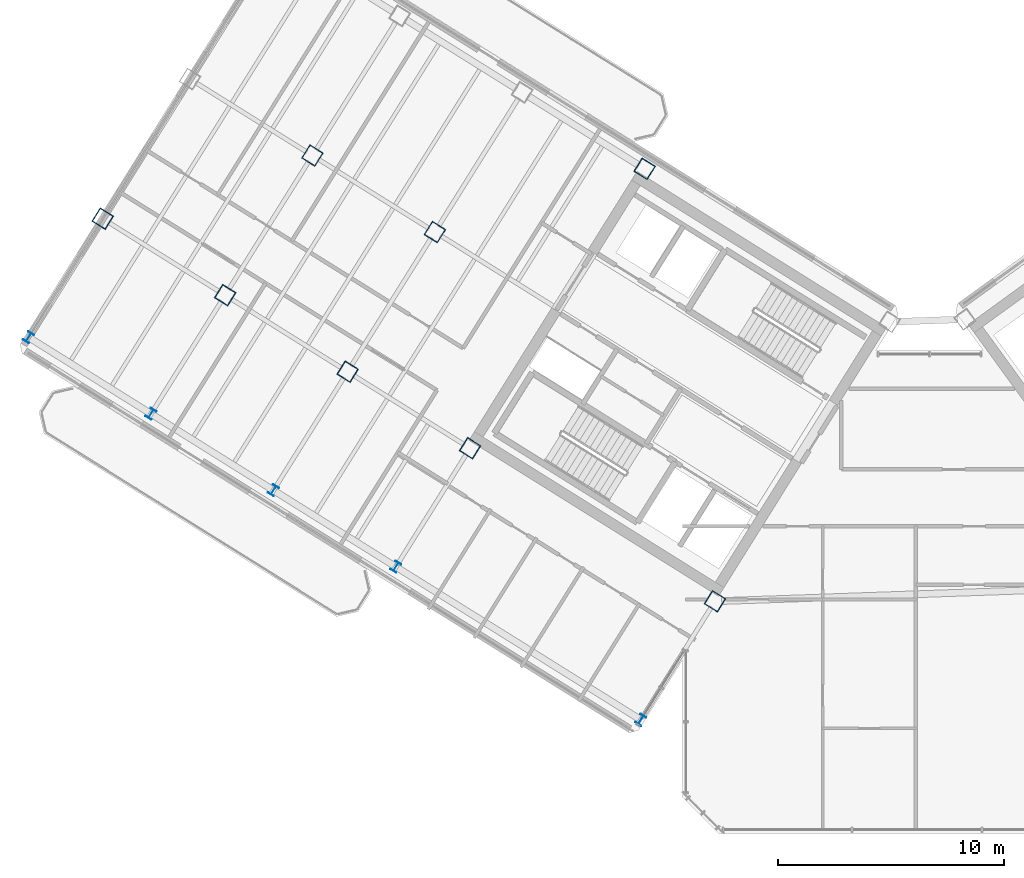
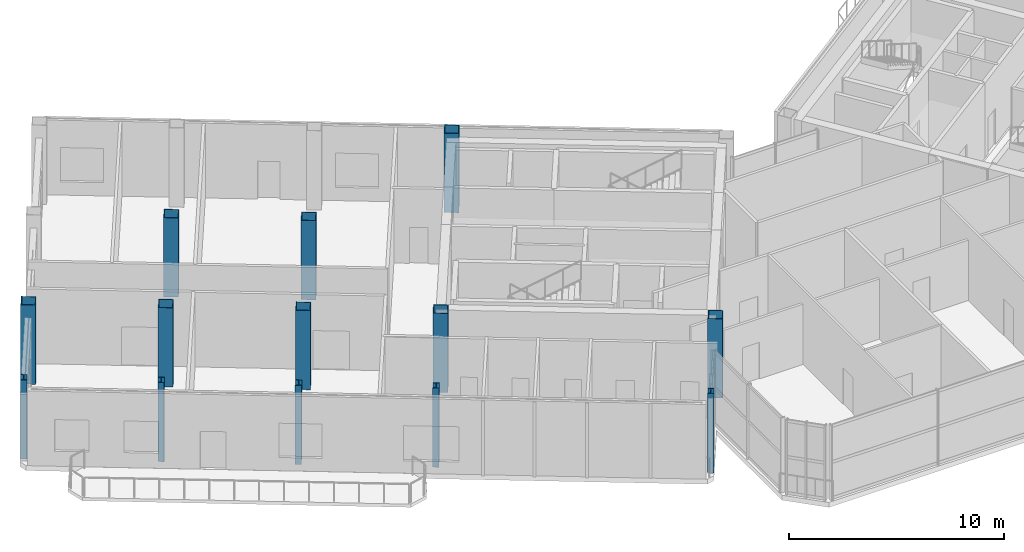
# One storey, part 1 of 27: 13 columns.
"""IFC4 building model written with IfcOpenShell, lengths in metres."""

from ifc_helpers import new_model, si_unit, direction, frame, origin, origin_2d, place, context, subcontext, project, spatial, hollow_rectangle, i_section, extrude, source, transform, mapped, material, material_profile, profile_set, type_object, element, save


model = new_model("IFC4")

# Units and contexts
model_context = context("Model", 3, precision=1e-05, world=origin(), true_north=direction((0.0, 1.0)))
body_context = subcontext(model_context, "Body", "Model", "MODEL_VIEW")
ifc_project = project(units=[si_unit("LENGTHUNIT", "METRE"), si_unit("AREAUNIT", "SQUARE_METRE"), si_unit("VOLUMEUNIT", "CUBIC_METRE"), si_unit("PLANEANGLEUNIT", "RADIAN"), si_unit("MASSUNIT", "GRAM", prefix="KILO")], contexts=[model_context])

# Site, building, storey
site_placement = place(None, origin())
site = spatial("IfcSite", under=ifc_project, at=site_placement, CompositionType="ELEMENT")
building_placement = place(site_placement, origin())
building = spatial("IfcBuilding", under=site, at=building_placement, Name="Tlacorven Tower", CompositionType="ELEMENT")
storey_placement = place(building_placement, frame((0.0, 0.0, 254.699951171875)))
storey = spatial("IfcBuildingStorey", under=building, at=storey_placement, Name="L64", CompositionType="ELEMENT", Elevation=254.699951171875)

# Columns
ifc_material_1 = material(Name="Steel S460M", Category="steel")
ifc_material_profile_1 = material_profile(ifc_material_1, hollow_rectangle(XDim=0.699951171875, YDim=0.699951171875, WallThickness=0.028076171875, at=origin_2d()), Name="BOX 700X700X28")
ifc_profile_set_1 = profile_set([ifc_material_profile_1], Name="Steel S460M")
column_type_1 = type_object("IfcColumnType", Name="COL-TWR-S4", PredefinedType="COLUMN", material=ifc_profile_set_1)
shared_shape_1 = source(origin(), body_context, "Body", "SweptSolid", [
    extrude(hollow_rectangle(XDim=0.699951171875, YDim=0.699951171875, WallThickness=0.028076171875, at=origin_2d()), origin(), (0.0, 0.0, 1.0), 4.5),
])
for number, where, z_axis, x_axis, name in (
    (1, (33.046142578125, 12.0869140625, 0.0), (0.0, 0.0, 1.0), (-0.848048096156, 0.529919264233, 0.0), "L64 column COL-L64-W1-3"),
    (2, (29.927978515625, 31.25146484375, 0.0), (0.0, 0.0, 1.0), (-0.848048096156, 0.529919264233, 0.0), "L64 column COL-L64-W3-1"),
    (3, (22.191162109375, 18.869873046875, 0.0), (0.0, 0.0, 1.0), (-0.848048096156, 0.529919264233, 0.0), "L64 column COL-L64-W3-3"),
    (4, (20.632080078125, 28.4521484375, 0.0), (0.0, 0.0, 1.0), (-0.848048096156, 0.529919264233, 0.0), "L64 column COL-L64-W4-2"),
    (5, (16.763671875, 22.26123046875, 0.0), (0.0, 0.0, 1.0), (-0.848048096156, 0.529919264233, 0.0), "L64 column COL-L64-W4-3"),
    (6, (15.20458984375, 31.843505859375, 0.0), (0.0, 0.0, 1.0), (-0.848048096156, 0.529919264233, 0.0), "L64 column COL-L64-W5-2"),
    (7, (11.336181640625, 25.65283203125, 0.0), (0.0, 0.0, 1.0), (-0.848048096156, 0.529919264233, 0.0), "L64 column COL-L64-W5-3"),
    (8, (5.90869140625, 29.044189453125, 0.0), (0.0, 0.0, 1.0), (-0.848048096156, 0.529919264233, 0.0), "L64 column COL-L64-W6-3"),
):
    element("IfcColumn", number, at=place(storey_placement, frame(where, z_axis=z_axis, x_axis=x_axis)), inside=storey, type_object=column_type_1, Name=name, PredefinedType="COLUMN", context=body_context, shape_type="MappedRepresentation", body=[
        mapped(shared_shape_1, transform((0.0, 0.0, 0.0), scale=1.0)),
    ])
ifc_material_2 = material(Name="Steel S355J2", Category="steel")
ifc_material_profile_2 = material_profile(ifc_material_2, i_section(OverallWidth=0.300048828125, OverallDepth=0.449951171875, WebThickness=0.013916015625, FlangeThickness=0.02587890625, at=origin_2d()), Name="HEB 450")
ifc_profile_set_2 = profile_set([ifc_material_profile_2], Name="Steel S355J2")
column_type_2 = type_object("IfcColumnType", Name="COL-TWR-P3", PredefinedType="COLUMN", material=ifc_profile_set_2)
shared_shape_2 = source(origin(), body_context, "Body", "SweptSolid", [
    extrude(i_section(OverallWidth=0.300048828125, OverallDepth=0.449951171875, WebThickness=0.013916015625, FlangeThickness=0.02587890625, at=origin_2d()), origin(), (0.0, 0.0, 1.0), 4.5),
])
for number, where, z_axis, x_axis, name in (
    (9, (29.7607421875, 6.8291015625, 0.0), (0.0, 0.0, 1.0), (-0.848048096156, 0.529919264233, 0.0), "L64 column COL-L64-W1-4"),
    (10, (18.905517578125, 13.612060546875, 0.0), (0.0, 0.0, 1.0), (-0.848048096156, 0.529919264233, 0.0), "L64 column COL-L64-W3-4"),
    (11, (13.47802734375, 17.00341796875, 0.0), (0.0, 0.0, 1.0), (-0.848048096156, 0.529919264233, 0.0), "L64 column COL-L64-W4-4"),
    (12, (8.050537109375, 20.39501953125, 0.0), (0.0, 0.0, 1.0), (-0.848048096156, 0.529919264233, 0.0), "L64 column COL-L64-W5-4"),
    (13, (2.623046875, 23.786376953125, 0.0), (0.0, 0.0, 1.0), (-0.848048096156, 0.529919264233, 0.0), "L64 column COL-L64-W6-4"),
):
    element("IfcColumn", number, at=place(storey_placement, frame(where, z_axis=z_axis, x_axis=x_axis)), inside=storey, type_object=column_type_2, Name=name, PredefinedType="COLUMN", context=body_context, shape_type="MappedRepresentation", body=[
        mapped(shared_shape_2, transform((0.0, 0.0, 0.0), scale=1.0)),
    ])

save(model, "model.ifc")
